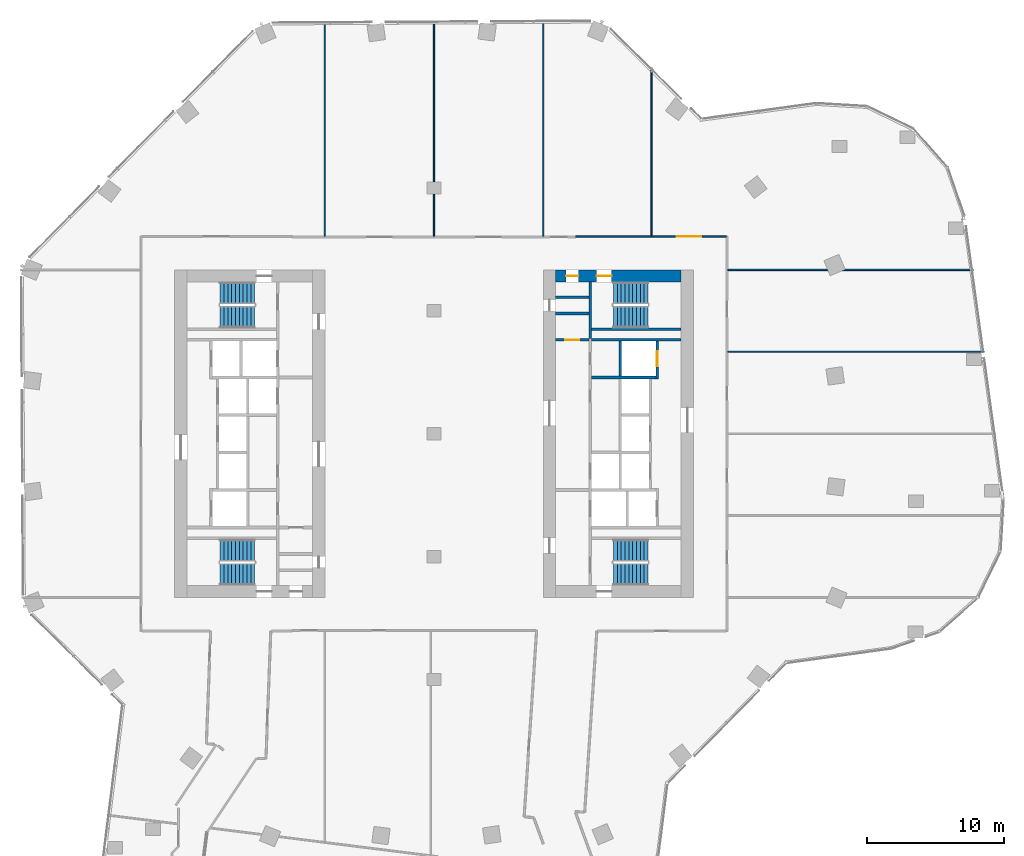
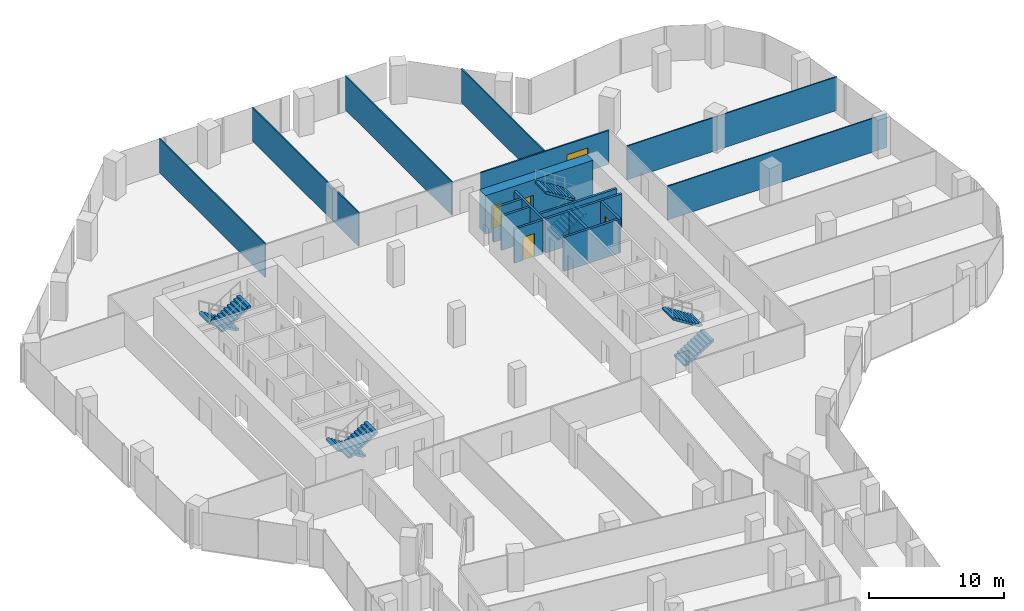
# One storey, part 23 of 27: 17 walls, 8 stair flights, 5 doors, 5 openings, 4 elements without a shape of their own.
"""IFC4 building model written with IfcOpenShell, lengths in metres."""

from ifc_helpers import new_model, si_unit, direction, frame, frame_2d, origin, place, context, subcontext, project, spatial, polyline, rectangle, outline, extrude, material, layer, layer_set, type_object, element, fill, aggregate, save


model = new_model("IFC4")

# Units and contexts
model_context = context("Model", 3, precision=1e-05, world=origin(), true_north=direction((0.0, 1.0)))
body_context = subcontext(model_context, "Body", "Model", "MODEL_VIEW")
ifc_project = project(units=[si_unit("LENGTHUNIT", "METRE"), si_unit("AREAUNIT", "SQUARE_METRE"), si_unit("VOLUMEUNIT", "CUBIC_METRE"), si_unit("PLANEANGLEUNIT", "RADIAN"), si_unit("MASSUNIT", "GRAM", prefix="KILO")], contexts=[model_context])

# Site, building, storey
site_placement = place(None, origin())
site = spatial("IfcSite", under=ifc_project, at=site_placement, CompositionType="ELEMENT")
building_placement = place(site_placement, origin())
building = spatial("IfcBuilding", under=site, at=building_placement, Name="Orlundy Tower", CompositionType="ELEMENT")
storey_placement = place(building_placement, frame((0.0, 0.0, 192.10009765625)))
storey = spatial("IfcBuildingStorey", under=building, at=storey_placement, Name="L50", CompositionType="ELEMENT", Elevation=192.10009765625)

# Wall, openings, doors
ifc_material_1 = material(Name="Concrete C70/85", Category="concrete")
ifc_layer_1 = layer(ifc_material_1, 0.89990234375)
ifc_layer_set_1 = layer_set([ifc_layer_1], Name="CORE WALL 900 C70/85")
wall_type_1 = type_object("IfcWallType", Name="CORE WALL 900 C70/85", PredefinedType="SHEAR", material=ifc_layer_set_1)
wall_1_placement = place(storey_placement, frame((8.89990234375, 11.550048828125, 0.0), z_axis=(0.0, 0.0, 1.0), x_axis=(1.0, 0.0, 0.0)))
wall_1 = element("IfcWall", 1, at=wall_1_placement, inside=storey, type_object=wall_type_1, Name="Core wall E-N L50", PredefinedType="SHEAR", context=body_context, shape_type="SweptSolid", body=[
    extrude(rectangle(XDim=9.2001953125, YDim=0.89990234375, at=frame_2d((4.60009765625, 0.0))), origin(), (0.0, 0.0, 1.0), 3.5),
])
opening_1_placement = place(wall_1_placement, frame((3.0, 0.0, 0.0)))
opening_1 = element("IfcOpeningElement", 2, at=opening_1_placement, cuts=wall_1, Name="Opening 39062", PredefinedType="OPENING", context=body_context, shape_type="SweptSolid", body=[
    extrude(rectangle(XDim=1.10009765625, YDim=2.10009765625, at=frame_2d((0.550048828125, 1.050048828125))), frame((0.0, 0.4599609375, 0.0), z_axis=(0.0, -1.0, 0.0), x_axis=(1.0, 0.0, 0.0)), (0.0, 0.0, 1.0), 0.919921875),
])
opening_2_placement = place(wall_1_placement, frame((0.77001953125, 0.0, 0.0)))
opening_2 = element("IfcOpeningElement", 3, at=opening_2_placement, cuts=wall_1, Name="Opening 39064", PredefinedType="OPENING", context=body_context, shape_type="SweptSolid", body=[
    extrude(rectangle(XDim=0.89990234375, YDim=2.10009765625, at=frame_2d((0.449951171875, 1.050048828125))), frame((0.0, 0.4599609375, 0.0), z_axis=(0.0, -1.0, 0.0), x_axis=(1.0, 0.0, 0.0)), (0.0, 0.0, 1.0), 0.919921875),
])
ifc_material_2 = material(Name="Timber door set", Category="wood")
door_type_1 = type_object("IfcDoorType", Name="Room Door 900x2100", OperationType="SINGLE_SWING_LEFT", PredefinedType="DOOR", material=ifc_material_2)
door_1_placement = place(opening_2_placement, origin())
door_1 = element("IfcDoor", 4, at=door_1_placement, inside=storey, type_object=door_type_1, Name="Store door 39064", OperationType="SINGLE_SWING_LEFT", OverallHeight=2.10009765625, OverallWidth=0.89990234375, PredefinedType="DOOR", context=body_context, shape_type="SweptSolid", body=[
    extrude(rectangle(XDim=0.89990234375, YDim=2.10009765625, at=frame_2d((0.449951171875, 1.050048828125))), frame((0.0, 0.02490234375, 0.0), z_axis=(0.0, -1.0, 0.0), x_axis=(1.0, 0.0, 0.0)), (0.0, 0.0, 1.0), 0.050048828125),
])
fill(opening_2, door_1)
ifc_material_3 = material(Name="Steel door set", Category="steel")
door_type_2 = type_object("IfcDoorType", Name="Stair Door 1100x2100", OperationType="SINGLE_SWING_LEFT", PredefinedType="DOOR", material=ifc_material_3)
door_2_placement = place(opening_1_placement, origin())
door_2 = element("IfcDoor", 5, at=door_2_placement, inside=storey, type_object=door_type_2, Name="Stair door 39062", OperationType="SINGLE_SWING_LEFT", OverallHeight=2.10009765625, OverallWidth=1.10009765625, PredefinedType="DOOR", context=body_context, shape_type="SweptSolid", body=[
    extrude(rectangle(XDim=1.10009765625, YDim=2.10009765625, at=frame_2d((0.550048828125, 1.050048828125))), frame((0.0, 0.02490234375, 0.0), z_axis=(0.0, -1.0, 0.0), x_axis=(1.0, 0.0, 0.0)), (0.0, 0.0, 1.0), 0.050048828125),
])
fill(opening_1, door_2)

# Walls
ifc_material_4 = material(Name="Gypsum board partition")
ifc_layer_2 = layer(ifc_material_4, 0.10009765625)
ifc_layer_set_2 = layer_set([ifc_layer_2], Name="Floor partition 100")
wall_type_2 = type_object("IfcWallType", Name="Floor partition 100", PredefinedType="PARTITIONING", material=ifc_layer_set_2)
wall_2_placement = place(storey_placement, frame((21.511962890625, 6.0, 0.0), z_axis=(0.0, 0.0, 1.0), x_axis=(1.0, 0.0, 0.0)))
element("IfcWall", 6, at=wall_2_placement, inside=storey, type_object=wall_type_2, Name="wall-int-L50-037", PredefinedType="PARTITIONING", context=body_context, shape_type="SweptSolid", body=[
    extrude(rectangle(XDim=18.796142578125, YDim=0.10009765625, at=frame_2d((9.39794921875, 0.0))), origin(), (0.0, 0.0, 1.0), 3.059814453125),
])
wall_3_placement = place(storey_placement, frame((21.511962890625, 12.0, 0.0), z_axis=(0.0, 0.0, 1.0), x_axis=(1.0, 0.0, 0.0)))
element("IfcWall", 7, at=wall_3_placement, inside=storey, type_object=wall_type_2, Name="wall-int-L50-039", PredefinedType="PARTITIONING", context=body_context, shape_type="SweptSolid", body=[
    extrude(rectangle(XDim=17.970947265625, YDim=0.10009765625, at=frame_2d((8.9853515625, 0.0))), origin(), (0.0, 0.0, 1.0), 3.059814453125),
])
wall_4_placement = place(storey_placement, frame((15.9208984375, 14.513916015625, 0.0), z_axis=(0.0, 0.0, 1.0), x_axis=(0.0, 1.0, 0.0)))
element("IfcWall", 8, at=wall_4_placement, inside=storey, type_object=wall_type_2, Name="wall-int-L50-068", PredefinedType="PARTITIONING", context=body_context, shape_type="SweptSolid", body=[
    extrude(rectangle(XDim=12.283203125, YDim=0.10009765625, at=frame_2d((6.1416015625, 0.0))), origin(), (0.0, 0.0, 1.0), 3.059814453125),
])
wall_5_placement = place(storey_placement, frame((8.0, 14.462890625, 0.0), z_axis=(0.0, 0.0, 1.0), x_axis=(0.0, 1.0, 0.0)))
element("IfcWall", 9, at=wall_5_placement, inside=storey, type_object=wall_type_2, Name="wall-int-L50-069", PredefinedType="PARTITIONING", context=body_context, shape_type="SweptSolid", body=[
    extrude(rectangle(XDim=15.834228515625, YDim=0.10009765625, at=frame_2d((7.9169921875, 0.0))), origin(), (0.0, 0.0, 1.0), 3.059814453125),
])
wall_6_placement = place(storey_placement, frame((0.0, 14.462890625, 0.0), z_axis=(0.0, 0.0, 1.0), x_axis=(0.0, 1.0, 0.0)))
element("IfcWall", 10, at=wall_6_placement, inside=storey, type_object=wall_type_2, Name="wall-int-L50-071", PredefinedType="PARTITIONING", context=body_context, shape_type="SweptSolid", body=[
    extrude(rectangle(XDim=15.7880859375, YDim=0.10009765625, at=frame_2d((7.89404296875, 0.0))), origin(), (0.0, 0.0, 1.0), 3.059814453125),
])
wall_7_placement = place(storey_placement, frame((-8.0, 14.462890625, 0.0), z_axis=(0.0, 0.0, 1.0), x_axis=(0.0, 1.0, 0.0)))
element("IfcWall", 11, at=wall_7_placement, inside=storey, type_object=wall_type_2, Name="wall-int-L50-075", PredefinedType="PARTITIONING", context=body_context, shape_type="SweptSolid", body=[
    extrude(rectangle(XDim=15.7412109375, YDim=0.10009765625, at=frame_2d((7.87060546875, 0.0))), origin(), (0.0, 0.0, 1.0), 3.059814453125),
])

# Wall, opening, door
ifc_material_5 = material(Name="Gypsum board partition, double layer")
ifc_layer_3 = layer(ifc_material_5, 0.125)
ifc_layer_set_3 = layer_set([ifc_layer_3], Name="Floor partition 125")
wall_type_3 = type_object("IfcWallType", Name="Floor partition 125", PredefinedType="PARTITIONING", material=ifc_layer_set_3)
wall_8_placement = place(storey_placement, frame((10.39111328125, 14.450927734375, 0.0), z_axis=(0.0, 0.0, 1.0), x_axis=(1.0, 0.0, 0.0)))
wall_8 = element("IfcWall", 12, at=wall_8_placement, inside=storey, type_object=wall_type_3, Name="wall-int-L50-042", PredefinedType="PARTITIONING", context=body_context, shape_type="SweptSolid", body=[
    extrude(rectangle(XDim=10.995849609375, YDim=0.125, at=frame_2d((5.498046875, 0.0))), origin(), (0.0, 0.0, 1.0), 3.059814453125),
])
opening_3_placement = place(wall_8_placement, frame((7.3798828125, 0.0, 0.0)))
opening_3 = element("IfcOpeningElement", 13, at=opening_3_placement, cuts=wall_8, Name="Opening 39122", PredefinedType="OPENING", context=body_context, shape_type="SweptSolid", body=[
    extrude(rectangle(XDim=1.800048828125, YDim=2.10009765625, at=frame_2d((0.89990234375, 1.050048828125))), frame((0.0, 0.072509765625, 0.0), z_axis=(0.0, -1.0, 0.0), x_axis=(1.0, 0.0, 0.0)), (0.0, 0.0, 1.0), 0.14501953125),
])
ifc_material_6 = material(Name="Timber door leaf", Category="wood")
door_type_3 = type_object("IfcDoorType", Name="Floor door double 1800 FD30S", OperationType="NOTDEFINED", PredefinedType="DOOR", material=ifc_material_6)
door_3_placement = place(opening_3_placement, origin())
door_3 = element("IfcDoor", 14, at=door_3_placement, inside=storey, type_object=door_type_3, Name="Door 39122", OperationType="DOUBLE_DOOR_SINGLE_SWING", OverallHeight=2.10009765625, OverallWidth=1.800048828125, PredefinedType="DOOR", context=body_context, shape_type="SweptSolid", body=[
    extrude(rectangle(XDim=1.800048828125, YDim=2.10009765625, at=frame_2d((0.89990234375, 1.050048828125))), frame((0.0, 0.02490234375, 0.0), z_axis=(0.0, -1.0, 0.0), x_axis=(1.0, 0.0, 0.0)), (0.0, 0.0, 1.0), 0.050048828125),
])
fill(opening_3, door_3)

# Walls
ifc_material_7 = material(Name="Concrete C40/50", Category="concrete")
ifc_layer_4 = layer(ifc_material_7, 0.199951171875)
ifc_layer_set_4 = layer_set([ifc_layer_4], Name="Load-bearing Shaft Wall 200")
wall_type_4 = type_object("IfcWallType", Name="Load-bearing Shaft Wall 200", PredefinedType="SOLIDWALL", material=ifc_layer_set_4)
wall_9_placement = place(storey_placement, frame((11.43994140625, 11.10009765625, 0.0), z_axis=(0.0, 0.0, 1.0), x_axis=(0.0, -1.0, 0.0)))
element("IfcWall", 15, at=wall_9_placement, inside=storey, type_object=wall_type_4, Name="Shaft wall E39-stair-end-s", PredefinedType="SOLIDWALL", context=body_context, shape_type="SweptSolid", body=[
    extrude(rectangle(XDim=4.125, YDim=0.199951171875, at=frame_2d((2.0625, 0.0))), origin(), (0.0, 0.0, 1.0), 3.079833984375),
])
wall_10_placement = place(storey_placement, frame((11.5400390625, 7.64990234375, 0.0), z_axis=(0.0, 0.0, 1.0), x_axis=(1.0, 0.0, 0.0)))
element("IfcWall", 16, at=wall_10_placement, inside=storey, type_object=wall_type_4, Name="Shaft wall E39-stair-side-s", PredefinedType="SOLIDWALL", context=body_context, shape_type="SweptSolid", body=[
    extrude(rectangle(XDim=6.56005859375, YDim=0.199951171875, at=frame_2d((3.280029296875, 0.0))), origin(), (0.0, 0.0, 1.0), 3.079833984375),
])

# Wall, opening, door
ifc_material_8 = material(Name="Gypsum board partition on steel studs", Category="steel")
ifc_layer_5 = layer(ifc_material_8, 0.199951171875)
ifc_layer_set_5 = layer_set([ifc_layer_5], Name="Partition 200")
wall_type_5 = type_object("IfcWallType", Name="Partition 200", PredefinedType="PARTITIONING", material=ifc_layer_set_5)
wall_11_placement = place(storey_placement, frame((8.89990234375, 6.875, 0.0), z_axis=(0.0, 0.0, 1.0), x_axis=(1.0, 0.0, 0.0)))
wall_11 = element("IfcWall", 17, at=wall_11_placement, inside=storey, type_object=wall_type_5, Name="Partition wall E39-end-s", PredefinedType="PARTITIONING", context=body_context, shape_type="SweptSolid", body=[
    extrude(rectangle(XDim=2.440185546875, YDim=0.199951171875, at=frame_2d((1.22021484375, 0.0))), origin(), (0.0, 0.0, 1.0), 3.079833984375),
])
opening_4_placement = place(wall_11_placement, frame((0.719970703125, 0.0, 0.0)))
opening_4 = element("IfcOpeningElement", 18, at=opening_4_placement, cuts=wall_11, Name="Opening 39066", PredefinedType="OPENING", context=body_context, shape_type="SweptSolid", body=[
    extrude(rectangle(XDim=1.0, YDim=2.10009765625, at=frame_2d((0.5, 1.050048828125))), frame((0.0, 0.110107421875, 0.0), z_axis=(0.0, -1.0, 0.0), x_axis=(1.0, 0.0, 0.0)), (0.0, 0.0, 1.0), 0.22021484375),
])
ifc_material_9 = material(Name="Timber door set", Category="wood")
door_type_4 = type_object("IfcDoorType", Name="Accessible Door 1000x2100", OperationType="SINGLE_SWING_LEFT", PredefinedType="DOOR", material=ifc_material_9)
door_4_placement = place(opening_4_placement, origin())
door_4 = element("IfcDoor", 19, at=door_4_placement, inside=storey, type_object=door_type_4, Name="Accessible WC door 39066", OperationType="SINGLE_SWING_RIGHT", OverallHeight=2.10009765625, OverallWidth=1.0, PredefinedType="DOOR", context=body_context, shape_type="SweptSolid", body=[
    extrude(rectangle(XDim=1.0, YDim=2.10009765625, at=frame_2d((0.5, 1.050048828125))), frame((0.0, 0.02490234375, 0.0), z_axis=(0.0, -1.0, 0.0), x_axis=(1.0, 0.0, 0.0)), (0.0, 0.0, 1.0), 0.050048828125),
])
fill(opening_4, door_4)

# Walls
for number, where, z_axis, x_axis, name in (
    (20, (8.89990234375, 10.0, 0.0), (0.0, 0.0, 1.0), (1.0, 0.0, 0.0), "Partition wall E39-room-s0"),
    (21, (8.89990234375, 8.800048828125, 0.0), (0.0, 0.0, 1.0), (1.0, 0.0, 0.0), "Partition wall E39-room-s1"),
):
    element("IfcWall", number, at=place(storey_placement, frame(where, z_axis=z_axis, x_axis=x_axis)), inside=storey, type_object=wall_type_5, Name=name, PredefinedType="PARTITIONING", context=body_context, shape_type="SweptSolid", body=[
        extrude(rectangle(XDim=2.440185546875, YDim=0.199951171875, at=frame_2d((1.22021484375, 0.0))), origin(), (0.0, 0.0, 1.0), 3.079833984375),
    ])
ifc_material_10 = material(Name="Fire-rated blockwork shaft wall", Category="masonry")
ifc_layer_6 = layer(ifc_material_10, 0.199951171875)
ifc_layer_set_6 = layer_set([ifc_layer_6], Name="Shaft Wall 200")
wall_type_6 = type_object("IfcWallType", Name="Shaft Wall 200", PredefinedType="SOLIDWALL", material=ifc_layer_set_6)
wall_12_placement = place(storey_placement, frame((11.5400390625, 6.875, 0.0), z_axis=(0.0, 0.0, 1.0), x_axis=(1.0, 0.0, 0.0)))
element("IfcWall", 22, at=wall_12_placement, inside=storey, type_object=wall_type_6, Name="Shaft wall E39-zone-s", PredefinedType="SOLIDWALL", context=body_context, shape_type="SweptSolid", body=[
    extrude(rectangle(XDim=6.56005859375, YDim=0.199951171875, at=frame_2d((3.280029296875, 0.0))), origin(), (0.0, 0.0, 1.0), 3.079833984375),
])
wall_13_placement = place(storey_placement, frame((11.5400390625, 4.125, 0.0), z_axis=(0.0, 0.0, 1.0), x_axis=(1.0, 0.0, 0.0)))
element("IfcWall", 23, at=wall_13_placement, inside=storey, type_object=wall_type_6, Name="Shaft wall E39-cross-4.125", PredefinedType="SOLIDWALL", context=body_context, shape_type="SweptSolid", body=[
    extrude(rectangle(XDim=4.699951171875, YDim=0.199951171875, at=frame_2d((2.35009765625, 0.0))), origin(), (0.0, 0.0, 1.0), 3.079833984375),
])
wall_14_placement = place(storey_placement, frame((13.639892578125, 6.77490234375, 0.0), z_axis=(0.0, 0.0, 1.0), x_axis=(0.0, -1.0, 0.0)))
element("IfcWall", 24, at=wall_14_placement, inside=storey, type_object=wall_type_6, Name="Shaft wall E39-mid-a", PredefinedType="SOLIDWALL", context=body_context, shape_type="SweptSolid", body=[
    extrude(rectangle(XDim=2.5498046875, YDim=0.199951171875, at=frame_2d((1.27490234375, 0.0))), origin(), (0.0, 0.0, 1.0), 3.079833984375),
])

# Wall, opening, door
wall_15_placement = place(storey_placement, frame((16.340087890625, 6.77490234375, 0.0), z_axis=(0.0, 0.0, 1.0), x_axis=(0.0, -1.0, 0.0)))
wall_15 = element("IfcWall", 25, at=wall_15_placement, inside=storey, type_object=wall_type_6, Name="Shaft wall E39-front-o-a", PredefinedType="SOLIDWALL", context=body_context, shape_type="SweptSolid", body=[
    extrude(rectangle(XDim=2.75, YDim=0.199951171875, at=frame_2d((1.375, 0.0))), origin(), (0.0, 0.0, 1.0), 3.079833984375),
])
opening_5_placement = place(wall_15_placement, frame((0.72509765625, 0.0, 0.0)))
opening_5 = element("IfcOpeningElement", 26, at=opening_5_placement, cuts=wall_15, Name="Opening 39050", PredefinedType="OPENING", context=body_context, shape_type="SweptSolid", body=[
    extrude(rectangle(XDim=1.10009765625, YDim=2.10009765625, at=frame_2d((0.550048828125, 1.050048828125))), frame((0.0, 0.110107421875, 0.0), z_axis=(0.0, -1.0, 0.0), x_axis=(1.0, 0.0, 0.0)), (0.0, 0.0, 1.0), 0.22021484375),
])
ifc_material_11 = material(Name="Steel door set", Category="steel")
door_type_5 = type_object("IfcDoorType", Name="Landing Door 1100x2100", OperationType="DOUBLE_DOOR_SLIDING", PredefinedType="DOOR", material=ifc_material_11)
door_5_placement = place(opening_5_placement, origin())
door_5 = element("IfcDoor", 27, at=door_5_placement, inside=storey, type_object=door_type_5, Name="Lift landing door LV-02 39050", OperationType="DOUBLE_DOOR_SLIDING", OverallHeight=2.10009765625, OverallWidth=1.10009765625, PredefinedType="DOOR", context=body_context, shape_type="SweptSolid", body=[
    extrude(rectangle(XDim=1.10009765625, YDim=2.10009765625, at=frame_2d((0.550048828125, 1.050048828125))), frame((0.0, 0.02490234375, 0.0), z_axis=(0.0, -1.0, 0.0), x_axis=(1.0, 0.0, 0.0)), (0.0, 0.0, 1.0), 0.050048828125),
])
fill(opening_5, door_5)

# Stair, stair flights
ifc_material_12 = material(Name="Concrete C50/60", Category="concrete")
stair_type = type_object("IfcStairType", Name="Exit Stair 20 risers", PredefinedType="HALF_TURN_STAIR", material=ifc_material_12)
stair_1_placement = place(storey_placement, origin())
stair_1 = element("IfcStair", 28, at=stair_1_placement, inside=storey, type_object=stair_type, Name="L50 Exit Stair ST-W1", PredefinedType="HALF_TURN_STAIR")
ifc_material_13 = material(Name="Concrete C50/60", Category="concrete")
stair_flight_type = type_object("IfcStairFlightType", Name="Stair Flight 10 risers", PredefinedType="STRAIGHT", material=ifc_material_13)
stair_flight_1_placement = place(storey_placement, frame((-13.139892578125, 10.300048828125, 0.0), z_axis=(0.0, 0.0, 1.0), x_axis=(-1.0, 0.0, 0.0)))
stair_flight_1 = element("IfcStairFlight", 29, at=stair_flight_1_placement, type_object=stair_flight_type, Name="ST-W1 flight 1", NumberOfRisers=10, NumberOfTreads=9, PredefinedType="STRAIGHT", RiserHeight=0.175, TreadLength=0.28, context=body_context, shape_type="SweptSolid", body=[
    extrude(outline(polyline([(0.0, 0.0), (0.0, 0.175048828125), (0.280029296875, 0.175048828125), (0.280029296875, 0.35009765625), (0.56005859375, 0.35009765625), (0.56005859375, 0.52490234375), (0.840087890625, 0.52490234375), (0.840087890625, 0.699951171875), (1.1201171875, 0.699951171875), (1.1201171875, 0.875), (1.39990234375, 0.875), (1.39990234375, 1.050048828125), (1.679931640625, 1.050048828125), (1.679931640625, 1.22509765625), (1.9599609375, 1.22509765625), (1.9599609375, 1.39990234375), (2.239990234375, 1.39990234375), (2.239990234375, 1.574951171875), (2.52001953125, 1.574951171875), (2.52001953125, 1.75), (2.52001953125, 1.398193359375), (0.28271484375, 0.0), (0.0, 0.0)])), frame((0.0, 0.800048828125, 0.0), z_axis=(0.0, -1.0, 0.0), x_axis=(1.0, 0.0, 0.0)), (0.0, 0.0, 1.0), 1.60009765625),
])
stair_flight_2_placement = place(storey_placement, frame((-15.659912109375, 8.550048828125, 1.75), z_axis=(0.0, 0.0, 1.0), x_axis=(1.0, 0.0, 0.0)))
stair_flight_2 = element("IfcStairFlight", 30, at=stair_flight_2_placement, type_object=stair_flight_type, Name="ST-W1 flight 2", NumberOfRisers=10, NumberOfTreads=9, PredefinedType="STRAIGHT", RiserHeight=0.175, TreadLength=0.28, context=body_context, shape_type="SweptSolid", body=[
    extrude(outline(polyline([(0.0, 0.0), (0.0, 0.175048828125), (0.280029296875, 0.175048828125), (0.280029296875, 0.35009765625), (0.56005859375, 0.35009765625), (0.56005859375, 0.52490234375), (0.840087890625, 0.52490234375), (0.840087890625, 0.699951171875), (1.1201171875, 0.699951171875), (1.1201171875, 0.875), (1.39990234375, 0.875), (1.39990234375, 1.050048828125), (1.679931640625, 1.050048828125), (1.679931640625, 1.22509765625), (1.9599609375, 1.22509765625), (1.9599609375, 1.39990234375), (2.239990234375, 1.39990234375), (2.239990234375, 1.574951171875), (2.52001953125, 1.574951171875), (2.52001953125, 1.75), (2.52001953125, 1.398193359375), (0.28271484375, 0.0), (0.0, 0.0)])), frame((0.0, 0.800048828125, 0.0), z_axis=(0.0, -1.0, 0.0), x_axis=(1.0, 0.0, 0.0)), (0.0, 0.0, 1.0), 1.60009765625),
])
aggregate(stair_1, [stair_flight_1, stair_flight_2])

stair_2_placement = place(storey_placement, origin())
stair_2 = element("IfcStair", 31, at=stair_2_placement, inside=storey, type_object=stair_type, Name="L50 Exit Stair ST-W2", PredefinedType="HALF_TURN_STAIR")
stair_flight_3_placement = place(storey_placement, frame((-13.139892578125, -8.550048828125, 0.0), z_axis=(0.0, 0.0, 1.0), x_axis=(-1.0, 0.0, 0.0)))
stair_flight_3 = element("IfcStairFlight", 32, at=stair_flight_3_placement, type_object=stair_flight_type, Name="ST-W2 flight 1", NumberOfRisers=10, NumberOfTreads=9, PredefinedType="STRAIGHT", RiserHeight=0.175, TreadLength=0.28, context=body_context, shape_type="SweptSolid", body=[
    extrude(outline(polyline([(0.0, 0.0), (0.0, 0.175048828125), (0.280029296875, 0.175048828125), (0.280029296875, 0.35009765625), (0.56005859375, 0.35009765625), (0.56005859375, 0.52490234375), (0.840087890625, 0.52490234375), (0.840087890625, 0.699951171875), (1.1201171875, 0.699951171875), (1.1201171875, 0.875), (1.39990234375, 0.875), (1.39990234375, 1.050048828125), (1.679931640625, 1.050048828125), (1.679931640625, 1.22509765625), (1.9599609375, 1.22509765625), (1.9599609375, 1.39990234375), (2.239990234375, 1.39990234375), (2.239990234375, 1.574951171875), (2.52001953125, 1.574951171875), (2.52001953125, 1.75), (2.52001953125, 1.398193359375), (0.28271484375, 0.0), (0.0, 0.0)])), frame((0.0, 0.800048828125, 0.0), z_axis=(0.0, -1.0, 0.0), x_axis=(1.0, 0.0, 0.0)), (0.0, 0.0, 1.0), 1.60009765625),
])
stair_flight_4_placement = place(storey_placement, frame((-15.659912109375, -10.300048828125, 1.75), z_axis=(0.0, 0.0, 1.0), x_axis=(1.0, 0.0, 0.0)))
stair_flight_4 = element("IfcStairFlight", 33, at=stair_flight_4_placement, type_object=stair_flight_type, Name="ST-W2 flight 2", NumberOfRisers=10, NumberOfTreads=9, PredefinedType="STRAIGHT", RiserHeight=0.175, TreadLength=0.28, context=body_context, shape_type="SweptSolid", body=[
    extrude(outline(polyline([(0.0, 0.0), (0.0, 0.175048828125), (0.280029296875, 0.175048828125), (0.280029296875, 0.35009765625), (0.56005859375, 0.35009765625), (0.56005859375, 0.52490234375), (0.840087890625, 0.52490234375), (0.840087890625, 0.699951171875), (1.1201171875, 0.699951171875), (1.1201171875, 0.875), (1.39990234375, 0.875), (1.39990234375, 1.050048828125), (1.679931640625, 1.050048828125), (1.679931640625, 1.22509765625), (1.9599609375, 1.22509765625), (1.9599609375, 1.39990234375), (2.239990234375, 1.39990234375), (2.239990234375, 1.574951171875), (2.52001953125, 1.574951171875), (2.52001953125, 1.75), (2.52001953125, 1.398193359375), (0.28271484375, 0.0), (0.0, 0.0)])), frame((0.0, 0.800048828125, 0.0), z_axis=(0.0, -1.0, 0.0), x_axis=(1.0, 0.0, 0.0)), (0.0, 0.0, 1.0), 1.60009765625),
])
aggregate(stair_2, [stair_flight_3, stair_flight_4])

stair_3_placement = place(storey_placement, origin())
stair_3 = element("IfcStair", 34, at=stair_3_placement, inside=storey, type_object=stair_type, Name="L50 Exit Stair ST-E1", PredefinedType="HALF_TURN_STAIR")
stair_flight_5_placement = place(storey_placement, frame((13.139892578125, -10.300048828125, 0.0), z_axis=(0.0, 0.0, 1.0), x_axis=(1.0, 0.0, 0.0)))
stair_flight_5 = element("IfcStairFlight", 35, at=stair_flight_5_placement, type_object=stair_flight_type, Name="ST-E1 flight 1", NumberOfRisers=10, NumberOfTreads=9, PredefinedType="STRAIGHT", RiserHeight=0.175, TreadLength=0.28, context=body_context, shape_type="SweptSolid", body=[
    extrude(outline(polyline([(0.0, 0.0), (0.0, 0.175048828125), (0.280029296875, 0.175048828125), (0.280029296875, 0.35009765625), (0.56005859375, 0.35009765625), (0.56005859375, 0.52490234375), (0.840087890625, 0.52490234375), (0.840087890625, 0.699951171875), (1.1201171875, 0.699951171875), (1.1201171875, 0.875), (1.39990234375, 0.875), (1.39990234375, 1.050048828125), (1.679931640625, 1.050048828125), (1.679931640625, 1.22509765625), (1.9599609375, 1.22509765625), (1.9599609375, 1.39990234375), (2.239990234375, 1.39990234375), (2.239990234375, 1.574951171875), (2.52001953125, 1.574951171875), (2.52001953125, 1.75), (2.52001953125, 1.398193359375), (0.28271484375, 0.0), (0.0, 0.0)])), frame((0.0, 0.800048828125, 0.0), z_axis=(0.0, -1.0, 0.0), x_axis=(1.0, 0.0, 0.0)), (0.0, 0.0, 1.0), 1.60009765625),
])
stair_flight_6_placement = place(storey_placement, frame((15.659912109375, -8.550048828125, 1.75), z_axis=(0.0, 0.0, 1.0), x_axis=(-1.0, 0.0, 0.0)))
stair_flight_6 = element("IfcStairFlight", 36, at=stair_flight_6_placement, type_object=stair_flight_type, Name="ST-E1 flight 2", NumberOfRisers=10, NumberOfTreads=9, PredefinedType="STRAIGHT", RiserHeight=0.175, TreadLength=0.28, context=body_context, shape_type="SweptSolid", body=[
    extrude(outline(polyline([(0.0, 0.0), (0.0, 0.175048828125), (0.280029296875, 0.175048828125), (0.280029296875, 0.35009765625), (0.56005859375, 0.35009765625), (0.56005859375, 0.52490234375), (0.840087890625, 0.52490234375), (0.840087890625, 0.699951171875), (1.1201171875, 0.699951171875), (1.1201171875, 0.875), (1.39990234375, 0.875), (1.39990234375, 1.050048828125), (1.679931640625, 1.050048828125), (1.679931640625, 1.22509765625), (1.9599609375, 1.22509765625), (1.9599609375, 1.39990234375), (2.239990234375, 1.39990234375), (2.239990234375, 1.574951171875), (2.52001953125, 1.574951171875), (2.52001953125, 1.75), (2.52001953125, 1.398193359375), (0.28271484375, 0.0), (0.0, 0.0)])), frame((0.0, 0.800048828125, 0.0), z_axis=(0.0, -1.0, 0.0), x_axis=(1.0, 0.0, 0.0)), (0.0, 0.0, 1.0), 1.60009765625),
])
aggregate(stair_3, [stair_flight_5, stair_flight_6])

stair_4_placement = place(storey_placement, origin())
stair_4 = element("IfcStair", 37, at=stair_4_placement, inside=storey, type_object=stair_type, Name="L50 Exit Stair ST-E2", PredefinedType="HALF_TURN_STAIR")
stair_flight_7_placement = place(storey_placement, frame((13.139892578125, 8.550048828125, 0.0), z_axis=(0.0, 0.0, 1.0), x_axis=(1.0, 0.0, 0.0)))
stair_flight_7 = element("IfcStairFlight", 38, at=stair_flight_7_placement, type_object=stair_flight_type, Name="ST-E2 flight 1", NumberOfRisers=10, NumberOfTreads=9, PredefinedType="STRAIGHT", RiserHeight=0.175, TreadLength=0.28, context=body_context, shape_type="SweptSolid", body=[
    extrude(outline(polyline([(0.0, 0.0), (0.0, 0.175048828125), (0.280029296875, 0.175048828125), (0.280029296875, 0.35009765625), (0.56005859375, 0.35009765625), (0.56005859375, 0.52490234375), (0.840087890625, 0.52490234375), (0.840087890625, 0.699951171875), (1.1201171875, 0.699951171875), (1.1201171875, 0.875), (1.39990234375, 0.875), (1.39990234375, 1.050048828125), (1.679931640625, 1.050048828125), (1.679931640625, 1.22509765625), (1.9599609375, 1.22509765625), (1.9599609375, 1.39990234375), (2.239990234375, 1.39990234375), (2.239990234375, 1.574951171875), (2.52001953125, 1.574951171875), (2.52001953125, 1.75), (2.52001953125, 1.398193359375), (0.28271484375, 0.0), (0.0, 0.0)])), frame((0.0, 0.800048828125, 0.0), z_axis=(0.0, -1.0, 0.0), x_axis=(1.0, 0.0, 0.0)), (0.0, 0.0, 1.0), 1.60009765625),
])
stair_flight_8_placement = place(storey_placement, frame((15.659912109375, 10.300048828125, 1.75), z_axis=(0.0, 0.0, 1.0), x_axis=(-1.0, 0.0, 0.0)))
stair_flight_8 = element("IfcStairFlight", 39, at=stair_flight_8_placement, type_object=stair_flight_type, Name="ST-E2 flight 2", NumberOfRisers=10, NumberOfTreads=9, PredefinedType="STRAIGHT", RiserHeight=0.175, TreadLength=0.28, context=body_context, shape_type="SweptSolid", body=[
    extrude(outline(polyline([(0.0, 0.0), (0.0, 0.175048828125), (0.280029296875, 0.175048828125), (0.280029296875, 0.35009765625), (0.56005859375, 0.35009765625), (0.56005859375, 0.52490234375), (0.840087890625, 0.52490234375), (0.840087890625, 0.699951171875), (1.1201171875, 0.699951171875), (1.1201171875, 0.875), (1.39990234375, 0.875), (1.39990234375, 1.050048828125), (1.679931640625, 1.050048828125), (1.679931640625, 1.22509765625), (1.9599609375, 1.22509765625), (1.9599609375, 1.39990234375), (2.239990234375, 1.39990234375), (2.239990234375, 1.574951171875), (2.52001953125, 1.574951171875), (2.52001953125, 1.75), (2.52001953125, 1.398193359375), (0.28271484375, 0.0), (0.0, 0.0)])), frame((0.0, 0.800048828125, 0.0), z_axis=(0.0, -1.0, 0.0), x_axis=(1.0, 0.0, 0.0)), (0.0, 0.0, 1.0), 1.60009765625),
])
aggregate(stair_4, [stair_flight_7, stair_flight_8])

save(model, "model.ifc")
